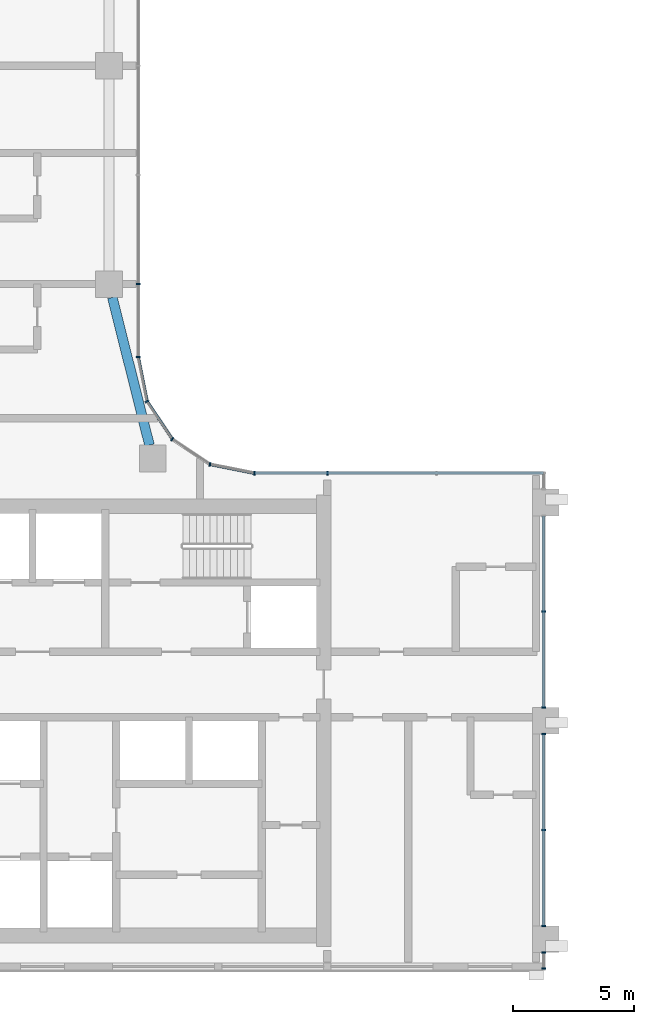
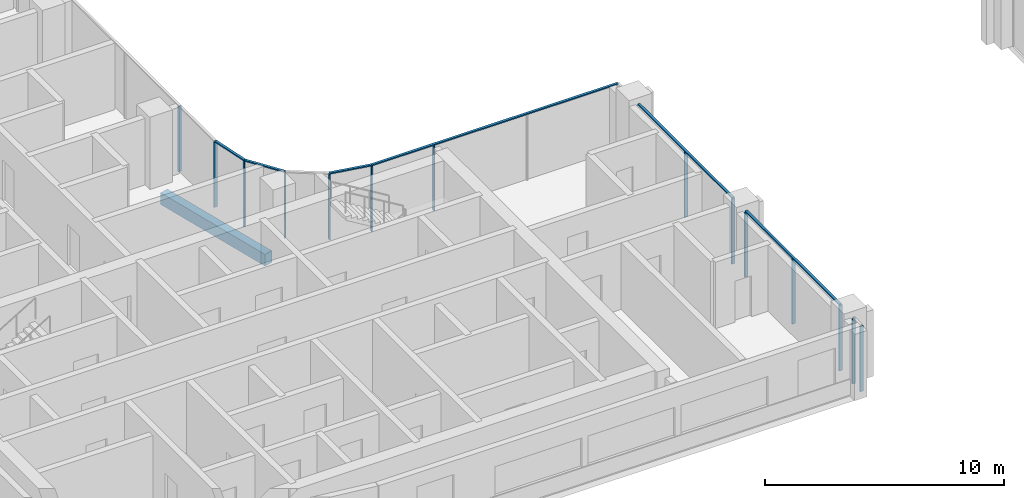
# One storey, part 2 of 23: 20 members, 1 beam, 6 elements without a shape of their own.
"""IFC4 building model written with IfcOpenShell, lengths in metres."""

from ifc_helpers import new_model, si_unit, direction, frame, origin, origin_2d, place, context, subcontext, project, spatial, rectangle, extrude, material, material_profile, profile_set, type_object, element, aggregate, save


model = new_model("IFC4")

# Units and contexts
model_context = context("Model", 3, precision=1e-05, world=origin(), true_north=direction((0.0, 1.0)))
body_context = subcontext(model_context, "Body", "Model", "MODEL_VIEW")
ifc_project = project(units=[si_unit("LENGTHUNIT", "METRE"), si_unit("AREAUNIT", "SQUARE_METRE"), si_unit("VOLUMEUNIT", "CUBIC_METRE"), si_unit("PLANEANGLEUNIT", "RADIAN"), si_unit("MASSUNIT", "GRAM", prefix="KILO")], contexts=[model_context])

# Site, building, storey
site_placement = place(None, origin())
site = spatial("IfcSite", under=ifc_project, at=site_placement, CompositionType="ELEMENT")
building_placement = place(site_placement, origin())
building = spatial("IfcBuilding", under=site, at=building_placement, Name="Ogive Portal Towers", CompositionType="ELEMENT")
storey_placement = place(building_placement, frame((0.0, 0.0, 168.10009765625)))
storey = spatial("IfcBuildingStorey", under=building, at=storey_placement, Name="L41", CompositionType="ELEMENT", Elevation=168.10009765625)

# Curtain wall, members
ifc_material_1 = material(Name="Glass, clear low-iron insulated glazing", Category="glass")
curtain_wall_type_1 = type_object("IfcCurtainWallType", Name="CW PORTAL REVEAL", PredefinedType="NOTDEFINED", material=ifc_material_1)
curtain_wall_1_placement = place(storey_placement, origin())
curtain_wall_1 = element("IfcCurtainWall", 1, at=curtain_wall_1_placement, inside=storey, type_object=curtain_wall_type_1, Name="A:L41:f06:cw0~0", PredefinedType="NOTDEFINED")
ifc_material_2 = material(Name="Aluminium 6063 anodised", Category="aluminium")
ifc_material_profile_1 = material_profile(ifc_material_2, rectangle(XDim=0.159912109375, YDim=0.06005859375, at=origin_2d()), Name="AL 60x160")
ifc_profile_set_1 = profile_set([ifc_material_profile_1], Name="Aluminium 6063 anodised")
member_type_1 = type_object("IfcMemberType", Name="CW MULLION 60x160", PredefinedType="MULLION", material=ifc_profile_set_1)
member_1_placement = place(storey_placement, frame((67.419921875, 20.294921875, 0.0), z_axis=(0.0, 0.0, 1.0), x_axis=(-1.0, 0.0, 0.0)))
member_1 = element("IfcMember", 2, at=member_1_placement, type_object=member_type_1, Name="mullion", PredefinedType="MULLION", context=body_context, shape_type="SweptSolid", body=[
    extrude(rectangle(XDim=0.159912109375, YDim=0.06005859375, at=origin_2d()), origin(), (0.0, 0.0, 1.0), 3.33984375),
])
member_2_placement = place(storey_placement, frame((67.419921875, 20.949951171875, 0.0), z_axis=(0.0, 0.0, 1.0), x_axis=(-1.0, 0.0, 0.0)))
member_2 = element("IfcMember", 3, at=member_2_placement, type_object=member_type_1, Name="mullion", PredefinedType="MULLION", context=body_context, shape_type="SweptSolid", body=[
    extrude(rectangle(XDim=0.159912109375, YDim=0.06005859375, at=origin_2d()), origin(), (0.0, 0.0, 1.0), 3.33984375),
])
aggregate(curtain_wall_1, [member_1, member_2])

curtain_wall_2_placement = place(storey_placement, origin())
curtain_wall_2 = element("IfcCurtainWall", 4, at=curtain_wall_2_placement, inside=storey, type_object=curtain_wall_type_1, Name="A:L41:f06:cw0~1", PredefinedType="NOTDEFINED")
member_3_placement = place(storey_placement, frame((67.419921875, 22.050048828125, 0.0), z_axis=(0.0, 0.0, 1.0), x_axis=(-1.0, 0.0, 0.0)))
member_3 = element("IfcMember", 5, at=member_3_placement, type_object=member_type_1, Name="mullion", PredefinedType="MULLION", context=body_context, shape_type="SweptSolid", body=[
    extrude(rectangle(XDim=0.159912109375, YDim=0.06005859375, at=origin_2d()), origin(), (0.0, 0.0, 1.0), 3.33984375),
])
member_4_placement = place(storey_placement, frame((67.419921875, 26.0, 0.0), z_axis=(0.0, 0.0, 1.0), x_axis=(-1.0, 0.0, 0.0)))
member_4 = element("IfcMember", 6, at=member_4_placement, type_object=member_type_1, Name="mullion", PredefinedType="MULLION", context=body_context, shape_type="SweptSolid", body=[
    extrude(rectangle(XDim=0.159912109375, YDim=0.06005859375, at=origin_2d()), origin(), (0.0, 0.0, 1.0), 3.33984375),
])
member_5_placement = place(storey_placement, frame((67.419921875, 29.949951171875, 0.0), z_axis=(0.0, 0.0, 1.0), x_axis=(-1.0, 0.0, 0.0)))
member_5 = element("IfcMember", 7, at=member_5_placement, type_object=member_type_1, Name="mullion", PredefinedType="MULLION", context=body_context, shape_type="SweptSolid", body=[
    extrude(rectangle(XDim=0.159912109375, YDim=0.06005859375, at=origin_2d()), origin(), (0.0, 0.0, 1.0), 3.33984375),
])

curtain_wall_3_placement = place(storey_placement, origin())
curtain_wall_3 = element("IfcCurtainWall", 8, at=curtain_wall_3_placement, inside=storey, type_object=curtain_wall_type_1, Name="A:L41:f06:cw0~2", PredefinedType="NOTDEFINED")
member_6_placement = place(storey_placement, frame((67.419921875, 31.050048828125, 0.0), z_axis=(0.0, 0.0, 1.0), x_axis=(-1.0, 0.0, 0.0)))
member_6 = element("IfcMember", 9, at=member_6_placement, type_object=member_type_1, Name="mullion", PredefinedType="MULLION", context=body_context, shape_type="SweptSolid", body=[
    extrude(rectangle(XDim=0.159912109375, YDim=0.06005859375, at=origin_2d()), origin(), (0.0, 0.0, 1.0), 3.33984375),
])
member_7_placement = place(storey_placement, frame((67.419921875, 35.0, 0.0), z_axis=(0.0, 0.0, 1.0), x_axis=(-1.0, 0.0, 0.0)))
member_7 = element("IfcMember", 10, at=member_7_placement, type_object=member_type_1, Name="mullion", PredefinedType="MULLION", context=body_context, shape_type="SweptSolid", body=[
    extrude(rectangle(XDim=0.159912109375, YDim=0.06005859375, at=origin_2d()), origin(), (0.0, 0.0, 1.0), 3.33984375),
])

curtain_wall_type_2 = type_object("IfcCurtainWallType", Name="CW FRONT RIBBON 4500", PredefinedType="NOTDEFINED", material=ifc_material_1)
curtain_wall_4_placement = place(storey_placement, origin())
curtain_wall_4 = element("IfcCurtainWall", 11, at=curtain_wall_4_placement, inside=storey, type_object=curtain_wall_type_2, Name="A:L41:f07:cw0", PredefinedType="NOTDEFINED")
member_8_placement = place(storey_placement, frame((58.5, 40.705078125, 0.0), z_axis=(0.0, 0.0, 1.0), x_axis=(0.0, -1.0, 0.0)))
member_8 = element("IfcMember", 12, at=member_8_placement, type_object=member_type_1, Name="mullion", PredefinedType="MULLION", context=body_context, shape_type="SweptSolid", body=[
    extrude(rectangle(XDim=0.159912109375, YDim=0.06005859375, at=origin_2d()), origin(), (0.0, 0.0, 1.0), 3.33984375),
])
member_9_placement = place(storey_placement, frame((55.4921875, 40.705078125, 0.0), z_axis=(0.0, 0.0, 1.0), x_axis=(0.0, -1.0, 0.0)))
member_9 = element("IfcMember", 13, at=member_9_placement, type_object=member_type_1, Name="mullion", PredefinedType="MULLION", context=body_context, shape_type="SweptSolid", body=[
    extrude(rectangle(XDim=0.159912109375, YDim=0.06005859375, at=origin_2d()), origin(), (0.0, 0.0, 1.0), 3.33984375),
])

curtain_wall_5_placement = place(storey_placement, origin())
curtain_wall_5 = element("IfcCurtainWall", 14, at=curtain_wall_5_placement, inside=storey, type_object=curtain_wall_type_2, Name="A:L41:f12:cw0", PredefinedType="NOTDEFINED")
member_10_placement = place(storey_placement, frame((50.705078125, 45.4921875, 0.0), z_axis=(0.0, 0.0, 1.0), x_axis=(-1.0, 0.0, 0.0)))
member_10 = element("IfcMember", 15, at=member_10_placement, type_object=member_type_1, Name="mullion", PredefinedType="MULLION", context=body_context, shape_type="SweptSolid", body=[
    extrude(rectangle(XDim=0.159912109375, YDim=0.06005859375, at=origin_2d()), origin(), (0.0, 0.0, 1.0), 3.33984375),
])
member_11_placement = place(storey_placement, frame((50.705078125, 48.5, 0.0), z_axis=(0.0, 0.0, 1.0), x_axis=(-1.0, 0.0, 0.0)))
member_11 = element("IfcMember", 16, at=member_11_placement, type_object=member_type_1, Name="mullion", PredefinedType="MULLION", context=body_context, shape_type="SweptSolid", body=[
    extrude(rectangle(XDim=0.159912109375, YDim=0.06005859375, at=origin_2d()), origin(), (0.0, 0.0, 1.0), 3.33984375),
])
aggregate(curtain_wall_5, [member_10, member_11])

curtain_wall_6_placement = place(storey_placement, origin())
curtain_wall_6 = element("IfcCurtainWall", 17, at=curtain_wall_6_placement, inside=storey, type_object=curtain_wall_type_2, Name="A:L41:f08:cwa", PredefinedType="NOTDEFINED")
member_12_placement = place(storey_placement, frame((53.66455078125, 41.068603515625, 0.0), z_axis=(0.0, 0.0, 1.0), x_axis=(-0.195090322016, -0.980785280403, 0.0)))
member_12 = element("IfcMember", 18, at=member_12_placement, type_object=member_type_1, Name="mullion", PredefinedType="MULLION", context=body_context, shape_type="SweptSolid", body=[
    extrude(rectangle(XDim=0.159912109375, YDim=0.06005859375, at=origin_2d()), origin(), (0.0, 0.0, 1.0), 3.33984375),
])
member_13_placement = place(storey_placement, frame((52.1083984375, 42.1083984375, 0.0), z_axis=(0.0, 0.0, 1.0), x_axis=(-0.55557023302, -0.831469612303, 0.0)))
member_13 = element("IfcMember", 19, at=member_13_placement, type_object=member_type_1, Name="mullion", PredefinedType="MULLION", context=body_context, shape_type="SweptSolid", body=[
    extrude(rectangle(XDim=0.159912109375, YDim=0.06005859375, at=origin_2d()), origin(), (0.0, 0.0, 1.0), 3.33984375),
])
member_14_placement = place(storey_placement, frame((51.068603515625, 43.66455078125, 0.0), z_axis=(0.0, 0.0, 1.0), x_axis=(-0.831469612303, -0.55557023302, 0.0)))
member_14 = element("IfcMember", 20, at=member_14_placement, type_object=member_type_1, Name="mullion", PredefinedType="MULLION", context=body_context, shape_type="SweptSolid", body=[
    extrude(rectangle(XDim=0.159912109375, YDim=0.06005859375, at=origin_2d()), origin(), (0.0, 0.0, 1.0), 3.33984375),
])

# Member
ifc_material_profile_2 = material_profile(ifc_material_2, rectangle(XDim=0.1201171875, YDim=0.06005859375, at=origin_2d()), Name="AL 120x60")
ifc_profile_set_2 = profile_set([ifc_material_profile_2], Name="Aluminium 6063 anodised")
member_type_2 = type_object("IfcMemberType", Name="CW TRANSOM 60x120", PredefinedType="USERDEFINED", material=ifc_profile_set_2)
member_15_placement = place(storey_placement, frame((67.419921875, 22.050048828125, 3.369873046875), z_axis=(0.0, 1.0, 0.0), x_axis=(-1.0, 0.0, 0.0)))
member_15 = element("IfcMember", 21, at=member_15_placement, type_object=member_type_2, Name="transom", ObjectType="TRANSOM", PredefinedType="USERDEFINED", context=body_context, shape_type="SweptSolid", body=[
    extrude(rectangle(XDim=0.1201171875, YDim=0.06005859375, at=origin_2d()), origin(), (0.0, 0.0, 1.0), 7.89990234375),
])

aggregate(curtain_wall_2, [member_15, member_3, member_4, member_5])

member_16_placement = place(storey_placement, frame((67.419921875, 31.050048828125, 3.369873046875), z_axis=(0.0, 1.0, 0.0), x_axis=(-1.0, 0.0, 0.0)))
member_16 = element("IfcMember", 22, at=member_16_placement, type_object=member_type_2, Name="transom", ObjectType="TRANSOM", PredefinedType="USERDEFINED", context=body_context, shape_type="SweptSolid", body=[
    extrude(rectangle(XDim=0.1201171875, YDim=0.06005859375, at=origin_2d()), origin(), (0.0, 0.0, 1.0), 7.89990234375),
])

aggregate(curtain_wall_3, [member_16, member_6, member_7])

member_17_placement = place(storey_placement, frame((67.419921875, 40.705078125, 3.369873046875), z_axis=(-1.0, 0.0, 0.0), x_axis=(0.0, -1.0, 0.0)))
member_17 = element("IfcMember", 23, at=member_17_placement, type_object=member_type_2, Name="transom", ObjectType="TRANSOM", PredefinedType="USERDEFINED", context=body_context, shape_type="SweptSolid", body=[
    extrude(rectangle(XDim=0.1201171875, YDim=0.06005859375, at=origin_2d()), origin(), (0.0, 0.0, 1.0), 11.927734375),
])

aggregate(curtain_wall_4, [member_17, member_8, member_9])

member_18_placement = place(storey_placement, frame((55.4921875, 40.705078125, 3.369873046875), z_axis=(-0.980786733923, 0.195083014535, 0.0), x_axis=(-0.195083014535, -0.980786733923, 0.0)))
member_18 = element("IfcMember", 24, at=member_18_placement, type_object=member_type_2, Name="transom", ObjectType="TRANSOM", PredefinedType="USERDEFINED", context=body_context, shape_type="SweptSolid", body=[
    extrude(rectangle(XDim=0.1201171875, YDim=0.06005859375, at=origin_2d()), origin(), (0.0, 0.0, 1.0), 1.863525390625),
])

member_19_placement = place(storey_placement, frame((52.1083984375, 42.1083984375, 3.369873046875), z_axis=(-0.55557288097, 0.831467842992, 0.0), x_axis=(-0.831467842992, -0.55557288097, 0.0)))
member_19 = element("IfcMember", 25, at=member_19_placement, type_object=member_type_2, Name="transom", ObjectType="TRANSOM", PredefinedType="USERDEFINED", context=body_context, shape_type="SweptSolid", body=[
    extrude(rectangle(XDim=0.1201171875, YDim=0.06005859375, at=origin_2d()), origin(), (0.0, 0.0, 1.0), 1.87158203125),
])

member_20_placement = place(storey_placement, frame((51.068603515625, 43.66455078125, 3.369873046875), z_axis=(-0.195083014535, 0.980786733923, 0.0), x_axis=(-0.980786733923, -0.195083014535, 0.0)))
member_20 = element("IfcMember", 26, at=member_20_placement, type_object=member_type_2, Name="transom", ObjectType="TRANSOM", PredefinedType="USERDEFINED", context=body_context, shape_type="SweptSolid", body=[
    extrude(rectangle(XDim=0.1201171875, YDim=0.06005859375, at=origin_2d()), origin(), (0.0, 0.0, 1.0), 1.863525390625),
])

aggregate(curtain_wall_6, [member_18, member_19, member_20, member_12, member_13, member_14])

# Beam
ifc_material_3 = material(Name="Concrete C40/50", Category="concrete")
ifc_material_profile_3 = material_profile(ifc_material_3, rectangle(XDim=0.39990234375, YDim=0.60009765625, at=origin_2d()), Name="RC 400x600")
ifc_profile_set_3 = profile_set([ifc_material_profile_3], Name="Concrete C40/50")
beam_type = type_object("IfcBeamType", Name="SPANDREL BEAM RC 400x600", PredefinedType="BEAM", material=ifc_profile_set_3)
beam_placement = place(storey_placement, frame((49.638427734375, 47.949951171875, -0.60009765625), z_axis=(0.244108681121, -0.969747880535, 0.0), x_axis=(0.969747880535, 0.244108681121, 0.0)))
element("IfcBeam", 27, at=beam_placement, inside=storey, type_object=beam_type, Name="Spandrel beam L41", PredefinedType="BEAM", context=body_context, shape_type="SweptSolid", body=[
    extrude(rectangle(XDim=0.39990234375, YDim=0.60009765625, at=origin_2d()), origin(), (0.0, 0.0, 1.0), 6.27978515625),
])

save(model, "model.ifc")
